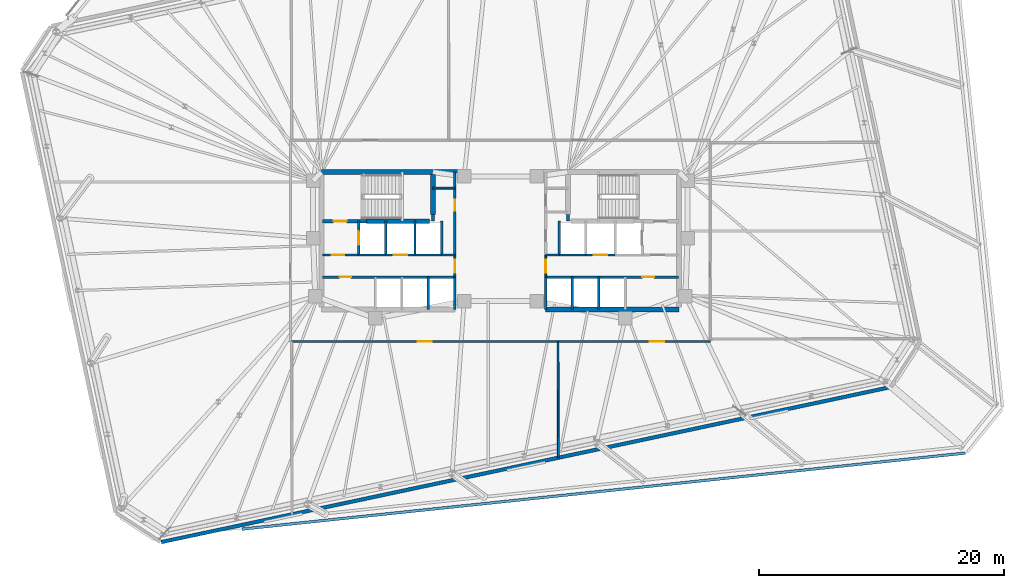
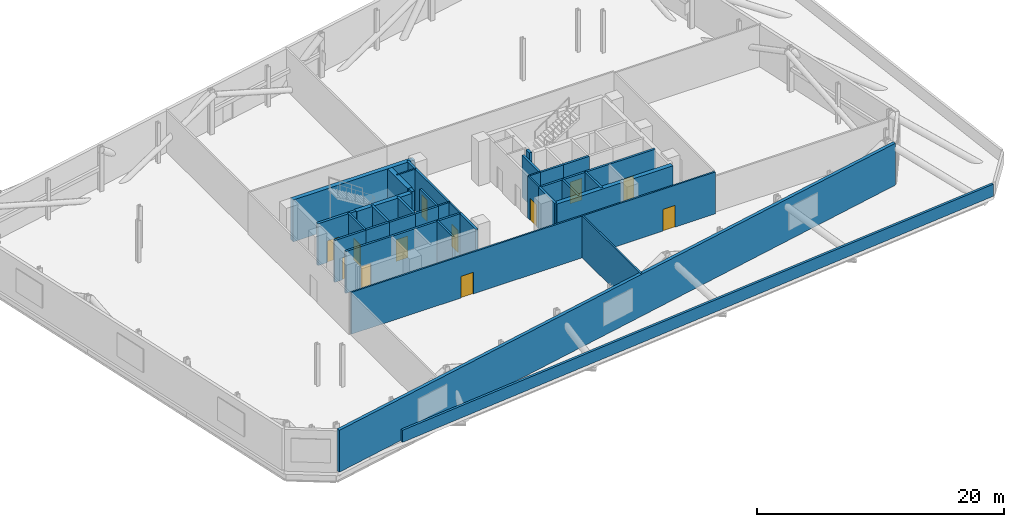
# One storey, part 14 of 19: 36 walls, 12 doors, 12 openings.
"""IFC4 building model written with IfcOpenShell, lengths in metres."""

from ifc_helpers import new_model, si_unit, direction, frame, frame_2d, origin, place, context, subcontext, project, spatial, rectangle, extrude, material, layer, layer_set, type_object, element, fill, save


model = new_model("IFC4")

# Units and contexts
model_context = context("Model", 3, precision=1e-05, world=origin(), true_north=direction((0.0, 1.0)))
body_context = subcontext(model_context, "Body", "Model", "MODEL_VIEW")
ifc_project = project(units=[si_unit("LENGTHUNIT", "METRE"), si_unit("AREAUNIT", "SQUARE_METRE"), si_unit("VOLUMEUNIT", "CUBIC_METRE"), si_unit("PLANEANGLEUNIT", "RADIAN"), si_unit("MASSUNIT", "GRAM", prefix="KILO")], contexts=[model_context])

# Site, building, storey
site_placement = place(None, origin())
site = spatial("IfcSite", under=ifc_project, at=site_placement, CompositionType="ELEMENT")
building_placement = place(site_placement, origin())
building = spatial("IfcBuilding", under=site, at=building_placement, Name="Menara Jurai Vektor", CompositionType="ELEMENT")
storey_placement = place(building_placement, frame((0.0, 0.0, 142.89990234375)))
storey = spatial("IfcBuildingStorey", under=building, at=storey_placement, Name="L36", CompositionType="ELEMENT", Elevation=142.89990234375)

# Walls
ifc_material_1 = material(Name="Insulated Pale Aluminium Spandrel Wall", Category="aluminium")
ifc_layer_1 = layer(ifc_material_1, 0.300048828125)
ifc_layer_set_1 = layer_set([ifc_layer_1], Name="Insulated Pale Aluminium Spandrel Wall")
wall_type_1 = type_object("IfcWallType", Name="ENV-WALL-EXT300", PredefinedType="STANDARD", material=ifc_layer_set_1)
wall_1_placement = place(storey_placement, frame((-27.62158203125, -24.541259765625, 0.0), z_axis=(0.0, 0.0, 1.0), x_axis=(0.978147586603, 0.207911757299, 0.0)))
element("IfcWall", 1, at=wall_1_placement, inside=storey, type_object=wall_type_1, Name="Plant Floor Enclosure Wall L36-01", PredefinedType="STANDARD", context=body_context, shape_type="SweptSolid", body=[
    extrude(rectangle(XDim=60.7099609375, YDim=0.300048828125, at=frame_2d((30.35498046875, 0.0))), origin(), (0.0, 0.0, 1.0), 4.150146484375),
])
ifc_material_2 = material(Name="Concrete C40/50", Category="concrete")
ifc_layer_2 = layer(ifc_material_2, 0.219970703125)
ifc_layer_set_2 = layer_set([ifc_layer_2], Name="Concrete C40/50")
wall_type_2 = type_object("IfcWallType", Name="ENV-WALL-PARAPET220", PredefinedType="PARAPET", material=ifc_layer_set_2)
wall_2_placement = place(storey_placement, frame((-21.05224609375, -23.485107421875, 0.0), z_axis=(0.0, 0.0, 1.0), x_axis=(0.994521672957, 0.104530579345, 0.0)))
element("IfcWall", 2, at=wall_2_placement, inside=storey, type_object=wall_type_2, Name="Roof Parapet Wall L36-SETBACK-05", PredefinedType="PARAPET", context=body_context, shape_type="SweptSolid", body=[
    extrude(rectangle(XDim=59.25634765625, YDim=0.219970703125, at=frame_2d((29.628173828125, 0.0))), origin(), (0.0, 0.0, 1.0), 1.2001953125),
])

# Wall, opening, door
ifc_layer_3 = layer(ifc_material_2, 0.25)
ifc_layer_set_3 = layer_set([ifc_layer_3], Name="Concrete C40/50")
wall_type_3 = type_object("IfcWallType", Name="INT-WALL-CORE-250", PredefinedType="STANDARD", material=ifc_layer_set_3)
wall_3_placement = place(storey_placement, frame((-14.5, 1.60009765625, 0.0), z_axis=(0.0, 0.0, 1.0), x_axis=(1.0, 0.0, 0.0)))
wall_3 = element("IfcWall", 3, at=wall_3_placement, inside=storey, type_object=wall_type_3, Name="Interior Wall IW-250 L36", PredefinedType="STANDARD", context=body_context, shape_type="SweptSolid", body=[
    extrude(rectangle(XDim=3.60009765625, YDim=0.25, at=frame_2d((1.800048828125, 0.0))), origin(), (0.0, 0.0, 1.0), 4.150146484375),
])
opening_1_placement = place(wall_3_placement, frame((0.919921875, 0.0, 0.0)))
opening_1 = element("IfcOpeningElement", 4, at=opening_1_placement, cuts=wall_3, Name="Opening D-L36-ST1", PredefinedType="OPENING", context=body_context, shape_type="SweptSolid", body=[
    extrude(rectangle(XDim=1.050048828125, YDim=2.14990234375, at=frame_2d((0.52490234375, 1.074951171875))), frame((0.0, 0.135009765625, 0.0), z_axis=(0.0, -1.0, 0.0), x_axis=(1.0, 0.0, 0.0)), (0.0, 0.0, 1.0), 0.27001953125),
])
ifc_material_3 = material(Name="Fire-Rated Steel Door", Category="steel")
door_type_1 = type_object("IfcDoorType", Name="DR-STAIR-1050", OperationType="NOTDEFINED", PredefinedType="DOOR", material=ifc_material_3)
door_1_placement = place(opening_1_placement, origin())
door_1 = element("IfcDoor", 5, at=door_1_placement, inside=storey, type_object=door_type_1, Name="Exit Stair ST1 Door L36", OperationType="SINGLE_SWING_RIGHT", OverallHeight=2.14990234375, OverallWidth=1.050048828125, PredefinedType="DOOR", context=body_context, shape_type="SweptSolid", body=[
    extrude(rectangle(XDim=1.050048828125, YDim=2.14990234375, at=frame_2d((0.52490234375, 1.074951171875))), frame((0.0, 0.02490234375, 0.0), z_axis=(0.0, -1.0, 0.0), x_axis=(1.0, 0.0, 0.0)), (0.0, 0.0, 1.0), 0.050048828125),
])
fill(opening_1, door_1)

# Wall
wall_4_placement = place(storey_placement, frame((-5.5, 1.60009765625, 0.0), z_axis=(0.0, 0.0, 1.0), x_axis=(0.0, 1.0, 0.0)))
element("IfcWall", 6, at=wall_4_placement, inside=storey, type_object=wall_type_3, Name="Interior Wall IW-250 L36", PredefinedType="STANDARD", context=body_context, shape_type="SweptSolid", body=[
    extrude(rectangle(XDim=0.5498046875, YDim=0.25, at=frame_2d((0.27490234375, 0.0))), origin(), (0.0, 0.0, 1.0), 4.150146484375),
])

# Wall, opening, door
wall_5_placement = place(storey_placement, frame((-11.550048828125, -1.14990234375, 0.0), z_axis=(0.0, 0.0, 1.0), x_axis=(0.0, 1.0, 0.0)))
wall_5 = element("IfcWall", 7, at=wall_5_placement, inside=storey, type_object=wall_type_3, Name="Interior Wall IW-250 L36", PredefinedType="STANDARD", context=body_context, shape_type="SweptSolid", body=[
    extrude(rectangle(XDim=2.75, YDim=0.199951171875, at=frame_2d((1.375, 0.0))), origin(), (0.0, 0.0, 1.0), 4.150146484375),
])
opening_2_placement = place(wall_5_placement, frame((0.824951171875, 0.0, 0.0)))
opening_2 = element("IfcOpeningElement", 8, at=opening_2_placement, cuts=wall_5, Name="Opening LD-L36-FL1", PredefinedType="OPENING", context=body_context, shape_type="SweptSolid", body=[
    extrude(rectangle(XDim=1.10009765625, YDim=2.14990234375, at=frame_2d((0.550048828125, 1.074951171875))), frame((0.0, 0.10986328125, 0.0), z_axis=(0.0, -1.0, 0.0), x_axis=(1.0, 0.0, 0.0)), (0.0, 0.0, 1.0), 0.219970703125),
])
ifc_material_4 = material(Name="Stainless Steel Sliding Lift Landing Door", Category="steel")
door_type_2 = type_object("IfcDoorType", Name="DR-LIFT-FIRE-1100", OperationType="NOTDEFINED", PredefinedType="DOOR", material=ifc_material_4)
door_2_placement = place(opening_2_placement, origin())
door_2 = element("IfcDoor", 9, at=door_2_placement, inside=storey, type_object=door_type_2, Name="Lift Landing Door FL1 L36", OperationType="SLIDING_TO_RIGHT", OverallHeight=2.14990234375, OverallWidth=1.10009765625, PredefinedType="DOOR", context=body_context, shape_type="SweptSolid", body=[
    extrude(rectangle(XDim=1.10009765625, YDim=2.14990234375, at=frame_2d((0.550048828125, 1.074951171875))), frame((0.0, 0.02490234375, 0.0), z_axis=(0.0, -1.0, 0.0), x_axis=(1.0, 0.0, 0.0)), (0.0, 0.0, 1.0), 0.050048828125),
])
fill(opening_2, door_2)

# Wall
wall_6_placement = place(storey_placement, frame((-9.35009765625, -1.14990234375, 0.0), z_axis=(0.0, 0.0, 1.0), x_axis=(0.0, 1.0, 0.0)))
element("IfcWall", 10, at=wall_6_placement, inside=storey, type_object=wall_type_3, Name="Interior Wall IW-250 L36", PredefinedType="STANDARD", context=body_context, shape_type="SweptSolid", body=[
    extrude(rectangle(XDim=2.75, YDim=0.199951171875, at=frame_2d((1.375, 0.0))), origin(), (0.0, 0.0, 1.0), 4.150146484375),
])

# Wall, opening, door
wall_7_placement = place(storey_placement, frame((-14.5, -1.14990234375, 0.0), z_axis=(0.0, 0.0, 1.0), x_axis=(1.0, 0.0, 0.0)))
wall_7 = element("IfcWall", 11, at=wall_7_placement, inside=storey, type_object=wall_type_3, Name="Interior Wall IW-250 L36", PredefinedType="STANDARD", context=body_context, shape_type="SweptSolid", body=[
    extrude(rectangle(XDim=2.949951171875, YDim=0.199951171875, at=frame_2d((1.47509765625, 0.0))), origin(), (0.0, 0.0, 1.0), 4.150146484375),
])
opening_3_placement = place(wall_7_placement, frame((0.75, 0.0, 0.0)))
opening_3 = element("IfcOpeningElement", 12, at=opening_3_placement, cuts=wall_7, Name="Opening D-L36-FFW", PredefinedType="OPENING", context=body_context, shape_type="SweptSolid", body=[
    extrude(rectangle(XDim=1.050048828125, YDim=2.179931640625, at=frame_2d((0.52490234375, 1.08984375))), frame((0.0, 0.10986328125, 0.0), z_axis=(0.0, -1.0, 0.0), x_axis=(1.0, 0.0, 0.0)), (0.0, 0.0, 1.0), 0.219970703125),
])
ifc_material_5 = material(Name="Fire-Rated Timber Door", Category="wood")
door_type_3 = type_object("IfcDoorType", Name="DR-LOBBY-1050", OperationType="NOTDEFINED", PredefinedType="DOOR", material=ifc_material_5)
door_3_placement = place(opening_3_placement, origin())
door_3 = element("IfcDoor", 13, at=door_3_placement, inside=storey, type_object=door_type_3, Name="Fire Lift Lobby Door W L36", OperationType="SINGLE_SWING_RIGHT", OverallHeight=2.179931640625, OverallWidth=1.050048828125, PredefinedType="DOOR", context=body_context, shape_type="SweptSolid", body=[
    extrude(rectangle(XDim=1.050048828125, YDim=2.179931640625, at=frame_2d((0.52490234375, 1.08984375))), frame((0.0, 0.02490234375, 0.0), z_axis=(0.0, -1.0, 0.0), x_axis=(1.0, 0.0, 0.0)), (0.0, 0.0, 1.0), 0.050048828125),
])
fill(opening_3, door_3)

# Walls
wall_8_placement = place(storey_placement, frame((-11.550048828125, -1.14990234375, 0.0), z_axis=(0.0, 0.0, 1.0), x_axis=(1.0, 0.0, 0.0)))
element("IfcWall", 14, at=wall_8_placement, inside=storey, type_object=wall_type_3, Name="Interior Wall IW-250 L36", PredefinedType="STANDARD", context=body_context, shape_type="SweptSolid", body=[
    extrude(rectangle(XDim=2.199951171875, YDim=0.199951171875, at=frame_2d((1.10009765625, 0.0))), origin(), (0.0, 0.0, 1.0), 4.150146484375),
])
wall_9_placement = place(storey_placement, frame((5.5, 1.60009765625, 0.0), z_axis=(0.0, 0.0, 1.0), x_axis=(0.0, 1.0, 0.0)))
element("IfcWall", 15, at=wall_9_placement, inside=storey, type_object=wall_type_3, Name="Interior Wall IW-250 L36", PredefinedType="STANDARD", context=body_context, shape_type="SweptSolid", body=[
    extrude(rectangle(XDim=0.5498046875, YDim=0.25, at=frame_2d((0.27490234375, 0.0))), origin(), (0.0, 0.0, 1.0), 4.150146484375),
])

# Wall, opening, door
ifc_material_6 = material(Name="Gypsum Fireboard Partition", Category="gypsum")
ifc_layer_4 = layer(ifc_material_6, 0.14990234375)
ifc_layer_set_4 = layer_set([ifc_layer_4], Name="Gypsum Fireboard Partition")
wall_type_4 = type_object("IfcWallType", Name="INT-WALL-CORR-150", PredefinedType="PARTITIONING", material=ifc_layer_set_4)
wall_10_placement = place(storey_placement, frame((-3.699951171875, -2.949951171875, 0.0), z_axis=(0.0, 0.0, 1.0), x_axis=(0.0, 1.0, 0.0)))
wall_10 = element("IfcWall", 16, at=wall_10_placement, inside=storey, type_object=wall_type_4, Name="Interior Wall IW-150 L36", PredefinedType="PARTITIONING", context=body_context, shape_type="SweptSolid", body=[
    extrude(rectangle(XDim=1.800048828125, YDim=0.14990234375, at=frame_2d((0.89990234375, 0.0))), origin(), (0.0, 0.0, 1.0), 4.150146484375),
])
opening_4_placement = place(wall_10_placement, frame((0.35009765625, 0.0, 0.0)))
opening_4 = element("IfcOpeningElement", 17, at=opening_4_placement, cuts=wall_10, Name="Opening D-L36-LLW", PredefinedType="OPENING", context=body_context, shape_type="SweptSolid", body=[
    extrude(rectangle(XDim=1.050048828125, YDim=2.179931640625, at=frame_2d((0.52490234375, 1.08984375))), frame((0.0, 0.0849609375, 0.0), z_axis=(0.0, -1.0, 0.0), x_axis=(1.0, 0.0, 0.0)), (0.0, 0.0, 1.0), 0.169921875),
])
door_4_placement = place(opening_4_placement, origin())
door_4 = element("IfcDoor", 18, at=door_4_placement, inside=storey, type_object=door_type_3, Name="Lift Lobby Corridor Door W L36", OperationType="SINGLE_SWING_LEFT", OverallHeight=2.179931640625, OverallWidth=1.050048828125, PredefinedType="DOOR", context=body_context, shape_type="SweptSolid", body=[
    extrude(rectangle(XDim=1.050048828125, YDim=2.179931640625, at=frame_2d((0.52490234375, 1.08984375))), frame((0.0, 0.02490234375, 0.0), z_axis=(0.0, -1.0, 0.0), x_axis=(1.0, 0.0, 0.0)), (0.0, 0.0, 1.0), 0.050048828125),
])
fill(opening_4, door_4)

# Wall
wall_11_placement = place(storey_placement, frame((-4.7900390625, -1.14990234375, 0.0), z_axis=(0.0, 0.0, 1.0), x_axis=(1.0, 0.0, 0.0)))
element("IfcWall", 19, at=wall_11_placement, inside=storey, type_object=wall_type_4, Name="Interior Wall IW-150 L36", PredefinedType="PARTITIONING", context=body_context, shape_type="SweptSolid", body=[
    extrude(rectangle(XDim=1.090087890625, YDim=0.14990234375, at=frame_2d((0.544921875, 0.0))), origin(), (0.0, 0.0, 1.0), 4.150146484375),
])

# Wall, opening, door
wall_12_placement = place(storey_placement, frame((3.699951171875, -2.949951171875, 0.0), z_axis=(0.0, 0.0, 1.0), x_axis=(0.0, 1.0, 0.0)))
wall_12 = element("IfcWall", 20, at=wall_12_placement, inside=storey, type_object=wall_type_4, Name="Interior Wall IW-150 L36", PredefinedType="PARTITIONING", context=body_context, shape_type="SweptSolid", body=[
    extrude(rectangle(XDim=1.800048828125, YDim=0.14990234375, at=frame_2d((0.89990234375, 0.0))), origin(), (0.0, 0.0, 1.0), 4.150146484375),
])
opening_5_placement = place(wall_12_placement, frame((0.35009765625, 0.0, 0.0)))
opening_5 = element("IfcOpeningElement", 21, at=opening_5_placement, cuts=wall_12, Name="Opening D-L36-LLE", PredefinedType="OPENING", context=body_context, shape_type="SweptSolid", body=[
    extrude(rectangle(XDim=1.050048828125, YDim=2.179931640625, at=frame_2d((0.52490234375, 1.08984375))), frame((0.0, 0.0849609375, 0.0), z_axis=(0.0, -1.0, 0.0), x_axis=(1.0, 0.0, 0.0)), (0.0, 0.0, 1.0), 0.169921875),
])
door_5_placement = place(opening_5_placement, frame((1.050048828125, 0.0, 0.0), z_axis=(0.0, 0.0, 1.0), x_axis=(-1.0, 0.0, 0.0)))
door_5 = element("IfcDoor", 22, at=door_5_placement, inside=storey, type_object=door_type_3, Name="Lift Lobby Corridor Door E L36", OperationType="SINGLE_SWING_RIGHT", OverallHeight=2.179931640625, OverallWidth=1.050048828125, PredefinedType="DOOR", context=body_context, shape_type="SweptSolid", body=[
    extrude(rectangle(XDim=1.050048828125, YDim=2.179931640625, at=frame_2d((0.52490234375, 1.08984375))), frame((0.0, 0.02490234375, 0.0), z_axis=(0.0, -1.0, 0.0), x_axis=(1.0, 0.0, 0.0)), (0.0, 0.0, 1.0), 0.050048828125),
])
fill(opening_5, door_5)

# Walls
wall_13_placement = place(storey_placement, frame((3.699951171875, -1.14990234375, 0.0), z_axis=(0.0, 0.0, 1.0), x_axis=(1.0, 0.0, 0.0)))
element("IfcWall", 23, at=wall_13_placement, inside=storey, type_object=wall_type_4, Name="Interior Wall IW-150 L36", PredefinedType="PARTITIONING", context=body_context, shape_type="SweptSolid", body=[
    extrude(rectangle(XDim=1.090087890625, YDim=0.14990234375, at=frame_2d((0.544921875, 0.0))), origin(), (0.0, 0.0, 1.0), 4.150146484375),
])
wall_14_placement = place(storey_placement, frame((-5.5, 4.300048828125, 0.0), z_axis=(0.0, 0.0, 1.0), x_axis=(1.0, 0.0, 0.0)))
element("IfcWall", 24, at=wall_14_placement, inside=storey, type_object=wall_type_4, Name="Interior Wall IW-150 L36", PredefinedType="PARTITIONING", context=body_context, shape_type="SweptSolid", body=[
    extrude(rectangle(XDim=1.800048828125, YDim=0.14990234375, at=frame_2d((0.89990234375, 0.0))), origin(), (0.0, 0.0, 1.0), 4.150146484375),
])

# Wall, opening, door
wall_15_placement = place(storey_placement, frame((-17.0, -8.199951171875, 0.0), z_axis=(0.0, 0.0, 1.0), x_axis=(1.0, 0.0, 0.0)))
wall_15 = element("IfcWall", 25, at=wall_15_placement, inside=storey, type_object=wall_type_4, Name="Interior Wall IW-150 L36", PredefinedType="PARTITIONING", context=body_context, shape_type="SweptSolid", body=[
    extrude(rectangle(XDim=21.699951171875, YDim=0.14990234375, at=frame_2d((10.85009765625, 0.0))), origin(), (0.0, 0.0, 1.0), 4.150146484375),
])
opening_6_placement = place(wall_15_placement, frame((10.27490234375, 0.0, 0.0)))
opening_6 = element("IfcOpeningElement", 26, at=opening_6_placement, cuts=wall_15, Name="Opening D36-08", PredefinedType="OPENING", context=body_context, shape_type="SweptSolid", body=[
    extrude(rectangle(XDim=1.14990234375, YDim=2.14990234375, at=frame_2d((0.574951171875, 1.074951171875))), frame((0.0, 0.0849609375, 0.0), z_axis=(0.0, -1.0, 0.0), x_axis=(1.0, 0.0, 0.0)), (0.0, 0.0, 1.0), 0.169921875),
])
ifc_material_7 = material(Name="Fire-Rated Steel Plant Door", Category="steel")
door_type_4 = type_object("IfcDoorType", Name="DR-PLANT-1150", OperationType="NOTDEFINED", PredefinedType="DOOR", material=ifc_material_7)
door_6_placement = place(opening_6_placement, origin())
door_6 = element("IfcDoor", 27, at=door_6_placement, inside=storey, type_object=door_type_4, Name="Interior Door D36-08", OperationType="SINGLE_SWING_LEFT", OverallHeight=2.14990234375, OverallWidth=1.14990234375, PredefinedType="DOOR", context=body_context, shape_type="SweptSolid", body=[
    extrude(rectangle(XDim=1.14990234375, YDim=2.14990234375, at=frame_2d((0.574951171875, 1.074951171875))), frame((0.0, 0.02490234375, 0.0), z_axis=(0.0, -1.0, 0.0), x_axis=(1.0, 0.0, 0.0)), (0.0, 0.0, 1.0), 0.050048828125),
])
fill(opening_6, door_6)

wall_16_placement = place(storey_placement, frame((4.699951171875, -8.199951171875, 0.0), z_axis=(0.0, 0.0, 1.0), x_axis=(1.0, 0.0, 0.0)))
wall_16 = element("IfcWall", 28, at=wall_16_placement, inside=storey, type_object=wall_type_4, Name="Interior Wall IW-150 L36", PredefinedType="PARTITIONING", context=body_context, shape_type="SweptSolid", body=[
    extrude(rectangle(XDim=12.400146484375, YDim=0.14990234375, at=frame_2d((6.2001953125, 0.0))), origin(), (0.0, 0.0, 1.0), 4.150146484375),
])
opening_7_placement = place(wall_16_placement, frame((7.485107421875, 0.0, 0.0)))
opening_7 = element("IfcOpeningElement", 29, at=opening_7_placement, cuts=wall_16, Name="Opening D36-09", PredefinedType="OPENING", context=body_context, shape_type="SweptSolid", body=[
    extrude(rectangle(XDim=1.14990234375, YDim=2.14990234375, at=frame_2d((0.574951171875, 1.074951171875))), frame((0.0, 0.0849609375, 0.0), z_axis=(0.0, -1.0, 0.0), x_axis=(1.0, 0.0, 0.0)), (0.0, 0.0, 1.0), 0.169921875),
])
door_7_placement = place(opening_7_placement, origin())
door_7 = element("IfcDoor", 30, at=door_7_placement, inside=storey, type_object=door_type_4, Name="Interior Door D36-09", OperationType="SINGLE_SWING_RIGHT", OverallHeight=2.14990234375, OverallWidth=1.14990234375, PredefinedType="DOOR", context=body_context, shape_type="SweptSolid", body=[
    extrude(rectangle(XDim=1.14990234375, YDim=2.14990234375, at=frame_2d((0.574951171875, 1.074951171875))), frame((0.0, 0.02490234375, 0.0), z_axis=(0.0, -1.0, 0.0), x_axis=(1.0, 0.0, 0.0)), (0.0, 0.0, 1.0), 0.050048828125),
])
fill(opening_7, door_7)

# Wall
wall_17_placement = place(storey_placement, frame((4.731201171875, -17.66455078125, 0.0), z_axis=(0.0, 0.0, 1.0), x_axis=(-0.003301759287, 0.999994549178, 0.0)))
element("IfcWall", 31, at=wall_17_placement, inside=storey, type_object=wall_type_4, Name="Interior Wall IW-150 L36", PredefinedType="PARTITIONING", context=body_context, shape_type="SweptSolid", body=[
    extrude(rectangle(XDim=9.464599609375, YDim=0.14990234375, at=frame_2d((4.732421875, 0.0))), origin(), (0.0, 0.0, 1.0), 4.150146484375),
])

# Wall, opening, door
ifc_layer_5 = layer(ifc_material_2, 0.199951171875)
ifc_layer_set_5 = layer_set([ifc_layer_5], Name="Concrete C40/50")
wall_type_5 = type_object("IfcWallType", Name="INT-WALL-SHAFT-200", PredefinedType="STANDARD", material=ifc_layer_set_5)
wall_18_placement = place(storey_placement, frame((-3.699951171875, -1.14990234375, 0.0), z_axis=(0.0, 0.0, 1.0), x_axis=(0.0, 1.0, 0.0)))
wall_18 = element("IfcWall", 32, at=wall_18_placement, inside=storey, type_object=wall_type_5, Name="Interior Wall IW-200 L36", PredefinedType="STANDARD", context=body_context, shape_type="SweptSolid", body=[
    extrude(rectangle(XDim=6.75, YDim=0.199951171875, at=frame_2d((3.375, 0.0))), origin(), (0.0, 0.0, 1.0), 4.150146484375),
])
opening_8_placement = place(wall_18_placement, frame((3.60009765625, 0.0, 0.0)))
opening_8 = element("IfcOpeningElement", 33, at=opening_8_placement, cuts=wall_18, Name="Opening D36-02", PredefinedType="OPENING", context=body_context, shape_type="SweptSolid", body=[
    extrude(rectangle(XDim=0.919921875, YDim=2.14990234375, at=frame_2d((0.4599609375, 1.074951171875))), frame((0.0, 0.10986328125, 0.0), z_axis=(0.0, -1.0, 0.0), x_axis=(1.0, 0.0, 0.0)), (0.0, 0.0, 1.0), 0.219970703125),
])
ifc_material_8 = material(Name="Solid Core Timber Fire Door", Category="wood")
door_type_5 = type_object("IfcDoorType", Name="DR-ENTRY-950", OperationType="NOTDEFINED", PredefinedType="DOOR", material=ifc_material_8)
door_8_placement = place(opening_8_placement, origin())
door_8 = element("IfcDoor", 34, at=door_8_placement, inside=storey, type_object=door_type_5, Name="Interior Door D36-02", OperationType="SINGLE_SWING_LEFT", OverallHeight=2.14990234375, OverallWidth=0.919921875, PredefinedType="DOOR", context=body_context, shape_type="SweptSolid", body=[
    extrude(rectangle(XDim=0.919921875, YDim=2.14990234375, at=frame_2d((0.4599609375, 1.074951171875))), frame((0.0, 0.02490234375, 0.0), z_axis=(0.0, -1.0, 0.0), x_axis=(1.0, 0.0, 0.0)), (0.0, 0.0, 1.0), 0.050048828125),
])
fill(opening_8, door_8)

# Walls
wall_19_placement = place(storey_placement, frame((-3.699951171875, -5.60009765625, 0.0), z_axis=(0.0, 0.0, 1.0), x_axis=(0.0, 1.0, 0.0)))
element("IfcWall", 35, at=wall_19_placement, inside=storey, type_object=wall_type_5, Name="Interior Wall IW-200 L36", PredefinedType="STANDARD", context=body_context, shape_type="SweptSolid", body=[
    extrude(rectangle(XDim=2.650146484375, YDim=0.199951171875, at=frame_2d((1.3251953125, 0.0))), origin(), (0.0, 0.0, 1.0), 4.150146484375),
])
wall_20_placement = place(storey_placement, frame((-6.949951171875, -1.14990234375, 0.0), z_axis=(0.0, 0.0, 1.0), x_axis=(0.0, 1.0, 0.0)))
element("IfcWall", 36, at=wall_20_placement, inside=storey, type_object=wall_type_5, Name="Interior Wall IW-200 L36", PredefinedType="STANDARD", context=body_context, shape_type="SweptSolid", body=[
    extrude(rectangle(XDim=2.75, YDim=0.199951171875, at=frame_2d((1.375, 0.0))), origin(), (0.0, 0.0, 1.0), 4.150146484375),
])

# Wall, opening, door
wall_21_placement = place(storey_placement, frame((-9.35009765625, -1.14990234375, 0.0), z_axis=(0.0, 0.0, 1.0), x_axis=(1.0, 0.0, 0.0)))
wall_21 = element("IfcWall", 37, at=wall_21_placement, inside=storey, type_object=wall_type_5, Name="Interior Wall IW-200 L36", PredefinedType="STANDARD", context=body_context, shape_type="SweptSolid", body=[
    extrude(rectangle(XDim=2.400146484375, YDim=0.199951171875, at=frame_2d((1.2001953125, 0.0))), origin(), (0.0, 0.0, 1.0), 4.150146484375),
])
opening_9_placement = place(wall_21_placement, frame((0.64990234375, 0.0, 0.0)))
opening_9 = element("IfcOpeningElement", 38, at=opening_9_placement, cuts=wall_21, Name="Opening LD-L36-SVL1", PredefinedType="OPENING", context=body_context, shape_type="SweptSolid", body=[
    extrude(rectangle(XDim=1.10009765625, YDim=2.14990234375, at=frame_2d((0.550048828125, 1.074951171875))), frame((0.0, 0.10986328125, 0.0), z_axis=(0.0, -1.0, 0.0), x_axis=(1.0, 0.0, 0.0)), (0.0, 0.0, 1.0), 0.219970703125),
])
ifc_material_9 = material(Name="Anodised Stainless Sliding Lift Landing Door", Category="steel")
door_type_6 = type_object("IfcDoorType", Name="DR-LIFT-PASS-1100", OperationType="NOTDEFINED", PredefinedType="DOOR", material=ifc_material_9)
door_9_placement = place(opening_9_placement, origin())
door_9 = element("IfcDoor", 39, at=door_9_placement, inside=storey, type_object=door_type_6, Name="Lift Landing Door SVL1 L36", OperationType="SLIDING_TO_RIGHT", OverallHeight=2.14990234375, OverallWidth=1.10009765625, PredefinedType="DOOR", context=body_context, shape_type="SweptSolid", body=[
    extrude(rectangle(XDim=1.10009765625, YDim=2.14990234375, at=frame_2d((0.550048828125, 1.074951171875))), frame((0.0, 0.02490234375, 0.0), z_axis=(0.0, -1.0, 0.0), x_axis=(1.0, 0.0, 0.0)), (0.0, 0.0, 1.0), 0.050048828125),
])
fill(opening_9, door_9)

# Walls
wall_22_placement = place(storey_placement, frame((-4.7900390625, -1.14990234375, 0.0), z_axis=(0.0, 0.0, 1.0), x_axis=(0.0, 1.0, 0.0)))
element("IfcWall", 40, at=wall_22_placement, inside=storey, type_object=wall_type_5, Name="Interior Wall IW-200 L36", PredefinedType="STANDARD", context=body_context, shape_type="SweptSolid", body=[
    extrude(rectangle(XDim=2.75, YDim=0.199951171875, at=frame_2d((1.375, 0.0))), origin(), (0.0, 0.0, 1.0), 4.150146484375),
])
wall_23_placement = place(storey_placement, frame((-6.949951171875, -1.14990234375, 0.0), z_axis=(0.0, 0.0, 1.0), x_axis=(1.0, 0.0, 0.0)))
element("IfcWall", 41, at=wall_23_placement, inside=storey, type_object=wall_type_5, Name="Interior Wall IW-200 L36", PredefinedType="STANDARD", context=body_context, shape_type="SweptSolid", body=[
    extrude(rectangle(XDim=2.159912109375, YDim=0.199951171875, at=frame_2d((1.080078125, 0.0))), origin(), (0.0, 0.0, 1.0), 4.150146484375),
])

# Wall, opening, door
wall_24_placement = place(storey_placement, frame((-14.5, -2.949951171875, 0.0), z_axis=(0.0, 0.0, 1.0), x_axis=(1.0, 0.0, 0.0)))
wall_24 = element("IfcWall", 42, at=wall_24_placement, inside=storey, type_object=wall_type_5, Name="Interior Wall IW-200 L36", PredefinedType="STANDARD", context=body_context, shape_type="SweptSolid", body=[
    extrude(rectangle(XDim=10.800048828125, YDim=0.199951171875, at=frame_2d((5.39990234375, 0.0))), origin(), (0.0, 0.0, 1.0), 4.150146484375),
])
opening_10_placement = place(wall_24_placement, frame((1.39990234375, 0.0, 0.0)))
opening_10 = element("IfcOpeningElement", 43, at=opening_10_placement, cuts=wall_24, Name="Opening D36-01", PredefinedType="OPENING", context=body_context, shape_type="SweptSolid", body=[
    extrude(rectangle(XDim=0.949951171875, YDim=2.14990234375, at=frame_2d((0.47509765625, 1.074951171875))), frame((0.0, 0.10986328125, 0.0), z_axis=(0.0, -1.0, 0.0), x_axis=(1.0, 0.0, 0.0)), (0.0, 0.0, 1.0), 0.219970703125),
])
door_10_placement = place(opening_10_placement, origin())
door_10 = element("IfcDoor", 44, at=door_10_placement, inside=storey, type_object=door_type_5, Name="Interior Door D36-01", OperationType="SINGLE_SWING_LEFT", OverallHeight=2.14990234375, OverallWidth=0.949951171875, PredefinedType="DOOR", context=body_context, shape_type="SweptSolid", body=[
    extrude(rectangle(XDim=0.949951171875, YDim=2.14990234375, at=frame_2d((0.47509765625, 1.074951171875))), frame((0.0, 0.02490234375, 0.0), z_axis=(0.0, -1.0, 0.0), x_axis=(1.0, 0.0, 0.0)), (0.0, 0.0, 1.0), 0.050048828125),
])
fill(opening_10, door_10)

# Walls
for number, where, z_axis, x_axis, name in (
    (45, (-5.860107421875, -5.60009765625, 0.0), (0.0, 0.0, 1.0), (0.0, 1.0, 0.0), "Interior Wall IW-200 L36"),
    (46, (3.699951171875, -5.60009765625, 0.0), (0.0, 0.0, 1.0), (0.0, 1.0, 0.0), "Interior Wall IW-200 L36"),
):
    element("IfcWall", number, at=place(storey_placement, frame(where, z_axis=z_axis, x_axis=x_axis)), inside=storey, type_object=wall_type_5, Name=name, PredefinedType="STANDARD", context=body_context, shape_type="SweptSolid", body=[
        extrude(rectangle(XDim=2.650146484375, YDim=0.199951171875, at=frame_2d((1.3251953125, 0.0))), origin(), (0.0, 0.0, 1.0), 4.150146484375),
    ])

# Wall, opening, door
wall_25_placement = place(storey_placement, frame((6.949951171875, -1.14990234375, 0.0), z_axis=(0.0, 0.0, 1.0), x_axis=(1.0, 0.0, 0.0)))
wall_25 = element("IfcWall", 47, at=wall_25_placement, inside=storey, type_object=wall_type_5, Name="Interior Wall IW-200 L36", PredefinedType="STANDARD", context=body_context, shape_type="SweptSolid", body=[
    extrude(rectangle(XDim=2.400146484375, YDim=0.199951171875, at=frame_2d((1.2001953125, 0.0))), origin(), (0.0, 0.0, 1.0), 4.150146484375),
])
opening_11_placement = place(wall_25_placement, frame((0.64990234375, 0.0, 0.0)))
opening_11 = element("IfcOpeningElement", 48, at=opening_11_placement, cuts=wall_25, Name="Opening LD-L36-SVL2", PredefinedType="OPENING", context=body_context, shape_type="SweptSolid", body=[
    extrude(rectangle(XDim=1.10009765625, YDim=2.14990234375, at=frame_2d((0.550048828125, 1.074951171875))), frame((0.0, 0.10986328125, 0.0), z_axis=(0.0, -1.0, 0.0), x_axis=(1.0, 0.0, 0.0)), (0.0, 0.0, 1.0), 0.219970703125),
])
door_11_placement = place(opening_11_placement, origin())
door_11 = element("IfcDoor", 49, at=door_11_placement, inside=storey, type_object=door_type_6, Name="Lift Landing Door SVL2 L36", OperationType="SLIDING_TO_RIGHT", OverallHeight=2.14990234375, OverallWidth=1.10009765625, PredefinedType="DOOR", context=body_context, shape_type="SweptSolid", body=[
    extrude(rectangle(XDim=1.10009765625, YDim=2.14990234375, at=frame_2d((0.550048828125, 1.074951171875))), frame((0.0, 0.02490234375, 0.0), z_axis=(0.0, -1.0, 0.0), x_axis=(1.0, 0.0, 0.0)), (0.0, 0.0, 1.0), 0.050048828125),
])
fill(opening_11, door_11)

# Walls
wall_26_placement = place(storey_placement, frame((4.7900390625, -1.14990234375, 0.0), z_axis=(0.0, 0.0, 1.0), x_axis=(0.0, 1.0, 0.0)))
element("IfcWall", 50, at=wall_26_placement, inside=storey, type_object=wall_type_5, Name="Interior Wall IW-200 L36", PredefinedType="STANDARD", context=body_context, shape_type="SweptSolid", body=[
    extrude(rectangle(XDim=2.75, YDim=0.199951171875, at=frame_2d((1.375, 0.0))), origin(), (0.0, 0.0, 1.0), 4.150146484375),
])
wall_27_placement = place(storey_placement, frame((4.7900390625, -1.14990234375, 0.0), z_axis=(0.0, 0.0, 1.0), x_axis=(1.0, 0.0, 0.0)))
element("IfcWall", 51, at=wall_27_placement, inside=storey, type_object=wall_type_5, Name="Interior Wall IW-200 L36", PredefinedType="STANDARD", context=body_context, shape_type="SweptSolid", body=[
    extrude(rectangle(XDim=2.159912109375, YDim=0.199951171875, at=frame_2d((1.080078125, 0.0))), origin(), (0.0, 0.0, 1.0), 4.150146484375),
])

# Wall, opening, door
wall_28_placement = place(storey_placement, frame((3.699951171875, -2.949951171875, 0.0), z_axis=(0.0, 0.0, 1.0), x_axis=(1.0, 0.0, 0.0)))
wall_28 = element("IfcWall", 52, at=wall_28_placement, inside=storey, type_object=wall_type_5, Name="Interior Wall IW-200 L36", PredefinedType="STANDARD", context=body_context, shape_type="SweptSolid", body=[
    extrude(rectangle(XDim=10.800048828125, YDim=0.199951171875, at=frame_2d((5.39990234375, 0.0))), origin(), (0.0, 0.0, 1.0), 4.150146484375),
])
opening_12_placement = place(wall_28_placement, frame((7.8798828125, 0.0, 0.0)))
opening_12 = element("IfcOpeningElement", 53, at=opening_12_placement, cuts=wall_28, Name="Opening D36-03", PredefinedType="OPENING", context=body_context, shape_type="SweptSolid", body=[
    extrude(rectangle(XDim=0.949951171875, YDim=2.14990234375, at=frame_2d((0.47509765625, 1.074951171875))), frame((0.0, 0.10986328125, 0.0), z_axis=(0.0, -1.0, 0.0), x_axis=(1.0, 0.0, 0.0)), (0.0, 0.0, 1.0), 0.219970703125),
])
door_12_placement = place(opening_12_placement, origin())
door_12 = element("IfcDoor", 54, at=door_12_placement, inside=storey, type_object=door_type_5, Name="Interior Door D36-03", OperationType="SINGLE_SWING_LEFT", OverallHeight=2.14990234375, OverallWidth=0.949951171875, PredefinedType="DOOR", context=body_context, shape_type="SweptSolid", body=[
    extrude(rectangle(XDim=0.949951171875, YDim=2.14990234375, at=frame_2d((0.47509765625, 1.074951171875))), frame((0.0, 0.02490234375, 0.0), z_axis=(0.0, -1.0, 0.0), x_axis=(1.0, 0.0, 0.0)), (0.0, 0.0, 1.0), 0.050048828125),
])
fill(opening_12, door_12)

# Walls
wall_29_placement = place(storey_placement, frame((5.860107421875, -5.60009765625, 0.0), z_axis=(0.0, 0.0, 1.0), x_axis=(0.0, 1.0, 0.0)))
element("IfcWall", 55, at=wall_29_placement, inside=storey, type_object=wall_type_5, Name="Interior Wall IW-200 L36", PredefinedType="STANDARD", context=body_context, shape_type="SweptSolid", body=[
    extrude(rectangle(XDim=2.650146484375, YDim=0.199951171875, at=frame_2d((1.3251953125, 0.0))), origin(), (0.0, 0.0, 1.0), 4.150146484375),
])
wall_30_placement = place(storey_placement, frame((8.02001953125, -5.60009765625, 0.0), z_axis=(0.0, 0.0, 1.0), x_axis=(0.0, 1.0, 0.0)))
element("IfcWall", 56, at=wall_30_placement, inside=storey, type_object=wall_type_5, Name="Interior Wall IW-200 L36", PredefinedType="STANDARD", context=body_context, shape_type="SweptSolid", body=[
    extrude(rectangle(XDim=2.650146484375, YDim=0.179931640625, at=frame_2d((1.3251953125, 0.0))), origin(), (0.0, 0.0, 1.0), 4.150146484375),
])
ifc_material_10 = material(Name="Concrete C50/60", Category="concrete")
ifc_layer_6 = layer(ifc_material_10, 0.39990234375)
ifc_layer_set_6 = layer_set([ifc_layer_6], Name="Concrete C50/60")
wall_type_6 = type_object("IfcWallType", Name="STR-WALL-CORE400", PredefinedType="SHEAR", material=ifc_layer_set_6)
wall_31_placement = place(storey_placement, frame((-14.56005859375, 5.60009765625, 0.0), z_axis=(0.0, 0.0, 1.0), x_axis=(1.0, 0.0, 0.0)))
element("IfcWall", 57, at=wall_31_placement, inside=storey, type_object=wall_type_6, Name="Core Shear Wall CW-W-N L36", PredefinedType="SHEAR", context=body_context, shape_type="SweptSolid", body=[
    extrude(rectangle(XDim=11.41015625, YDim=0.39990234375, at=frame_2d((5.705078125, 0.0))), origin(), (0.0, 0.0, 1.0), 4.150146484375),
])
wall_32_placement = place(storey_placement, frame((-5.5, 2.14990234375, 0.0), z_axis=(0.0, 0.0, 1.0), x_axis=(0.0, 1.0, 0.0)))
element("IfcWall", 58, at=wall_32_placement, inside=storey, type_object=wall_type_6, Name="Core Shear Wall CW-W-ST L36", PredefinedType="SHEAR", context=body_context, shape_type="SweptSolid", body=[
    extrude(rectangle(XDim=3.25, YDim=0.39990234375, at=frame_2d((1.625, 0.0))), origin(), (0.0, 0.0, 1.0), 4.150146484375),
])
wall_33_placement = place(storey_placement, frame((-10.89990234375, 1.60009765625, 0.0), z_axis=(0.0, 0.0, 1.0), x_axis=(1.0, 0.0, 0.0)))
element("IfcWall", 59, at=wall_33_placement, inside=storey, type_object=wall_type_6, Name="Core Shear Wall CW-W-STS L36", PredefinedType="SHEAR", context=body_context, shape_type="SweptSolid", body=[
    extrude(rectangle(XDim=5.14990234375, YDim=0.39990234375, at=frame_2d((2.574951171875, 0.0))), origin(), (0.0, 0.0, 1.0), 4.150146484375),
])
wall_34_placement = place(storey_placement, frame((3.699951171875, -5.60009765625, 0.0), z_axis=(0.0, 0.0, 1.0), x_axis=(1.0, 0.0, 0.0)))
element("IfcWall", 60, at=wall_34_placement, inside=storey, type_object=wall_type_6, Name="Core Shear Wall CW-E-S L36", PredefinedType="SHEAR", context=body_context, shape_type="SweptSolid", body=[
    extrude(rectangle(XDim=10.860107421875, YDim=0.39990234375, at=frame_2d((5.43017578125, 0.0))), origin(), (0.0, 0.0, 1.0), 4.150146484375),
])

save(model, "model.ifc")
